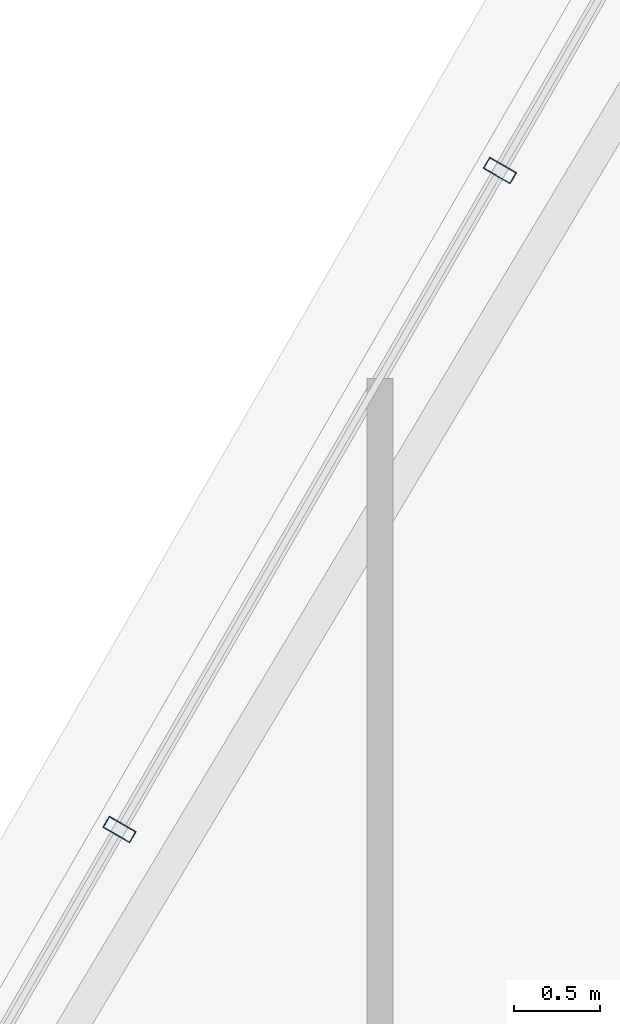
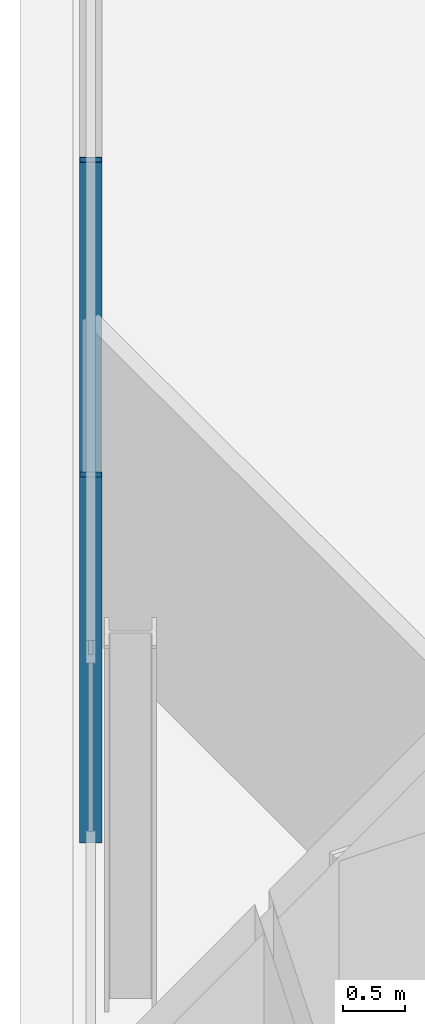
# One storey, part 13 of 32: 2 members, 1 element without a shape of its own.
"""IFC4 building model written with IfcOpenShell, lengths in metres."""

from ifc_helpers import new_model, si_unit, direction, frame, origin, origin_2d, place, context, subcontext, project, spatial, hollow_rectangle, extrude, material, layer, layer_set, material_profile, profile_set, type_object, element, aggregate, save


model = new_model("IFC4")

# Units and contexts
model_context = context("Model", 3, precision=1e-05, world=origin(), true_north=direction((0.0, 1.0)))
body_context = subcontext(model_context, "Body", "Model", "MODEL_VIEW")
ifc_project = project(units=[si_unit("LENGTHUNIT", "METRE"), si_unit("AREAUNIT", "SQUARE_METRE"), si_unit("VOLUMEUNIT", "CUBIC_METRE"), si_unit("PLANEANGLEUNIT", "RADIAN"), si_unit("MASSUNIT", "GRAM", prefix="KILO")], contexts=[model_context])

# Site, building, storey
site_placement = place(None, origin())
site = spatial("IfcSite", under=ifc_project, at=site_placement, CompositionType="ELEMENT")
building_placement = place(site_placement, origin())
building = spatial("IfcBuilding", under=site, at=building_placement, Name="Ndaravel Arena Tower", CompositionType="ELEMENT")
storey_placement = place(building_placement, frame((0.0, 0.0, 252.199951171875)))
storey = spatial("IfcBuildingStorey", under=building, at=storey_placement, Name="L61", CompositionType="ELEMENT", Elevation=252.199951171875)

# Curtain wall, members
ifc_material_1 = material(Name="Aluminium", Category="aluminium")
ifc_layer = layer(ifc_material_1, 0.179931640625)
ifc_layer_set = layer_set([ifc_layer], Name="Aluminium")
curtain_wall_type = type_object("IfcCurtainWallType", Name="CW-SYS-03", PredefinedType="NOTDEFINED", material=ifc_layer_set)
curtain_wall_placement = place(storey_placement, origin())
curtain_wall = element("IfcCurtainWall", 1, at=curtain_wall_placement, inside=storey, type_object=curtain_wall_type, Name="L61 Faceted Crystal Curtain Wall CW-L61-E05", PredefinedType="NOTDEFINED")
ifc_material_2 = material(Name="Aluminium", Category="aluminium")
ifc_material_profile = material_profile(ifc_material_2, hollow_rectangle(XDim=0.074951171875, YDim=0.179931640625, WallThickness=0.00390625, at=origin_2d()), Name="CW MULLION 75x180x4")
ifc_profile_set = profile_set([ifc_material_profile], Name="Aluminium")
member_type = type_object("IfcMemberType", Name="MEM-CW-MUL180", PredefinedType="MULLION", material=ifc_profile_set)
member_1_placement = place(storey_placement, frame((32.38525390625, 33.246337890625, 0.0), z_axis=(0.0, 0.0, 1.0), x_axis=(-0.5, -0.866025403784, 0.0)))
member_1 = element("IfcMember", 2, at=member_1_placement, type_object=member_type, Name="CW-L61-E05 Mullion 03", PredefinedType="MULLION", context=body_context, shape_type="SweptSolid", body=[
    extrude(hollow_rectangle(XDim=0.074951171875, YDim=0.179931640625, WallThickness=0.00390625, at=origin_2d()), origin(), (0.0, 0.0, 1.0), 3.580078125),
])
member_2_placement = place(storey_placement, frame((30.18505859375, 29.435302734375, 0.0), z_axis=(0.0, 0.0, 1.0), x_axis=(-0.5, -0.866025403784, 0.0)))
member_2 = element("IfcMember", 3, at=member_2_placement, type_object=member_type, Name="CW-L61-E05 Mullion 04", PredefinedType="MULLION", context=body_context, shape_type="SweptSolid", body=[
    extrude(hollow_rectangle(XDim=0.074951171875, YDim=0.179931640625, WallThickness=0.00390625, at=origin_2d()), origin(), (0.0, 0.0, 1.0), 3.580078125),
])
aggregate(curtain_wall, [member_1, member_2])

save(model, "model.ifc")
